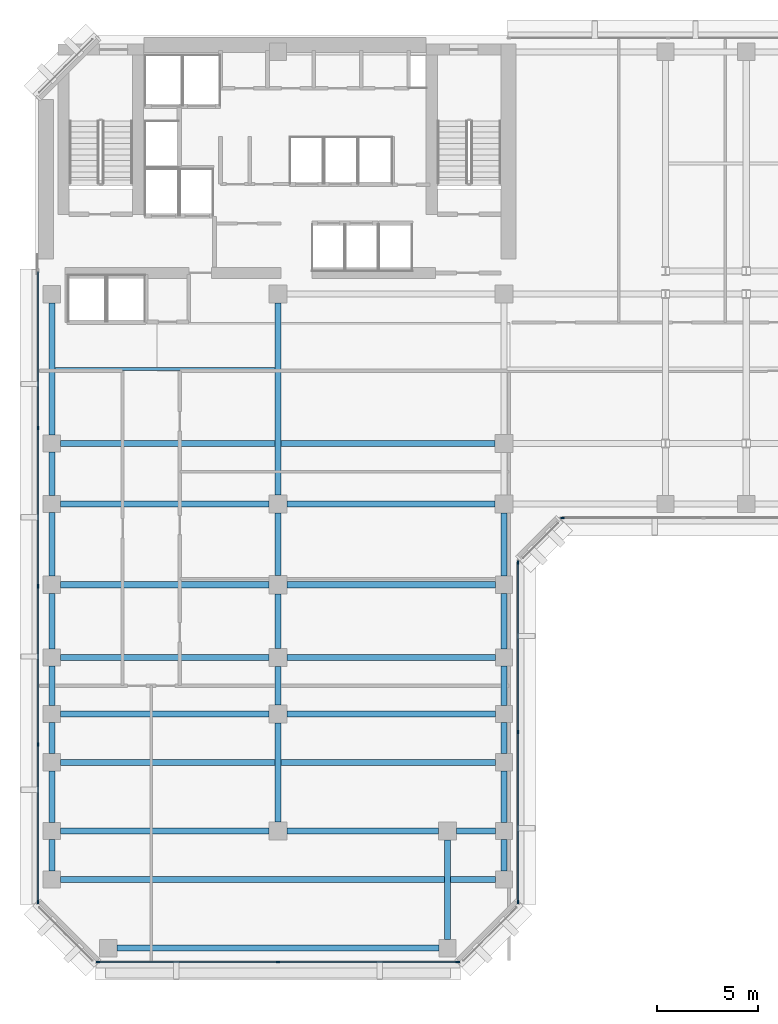
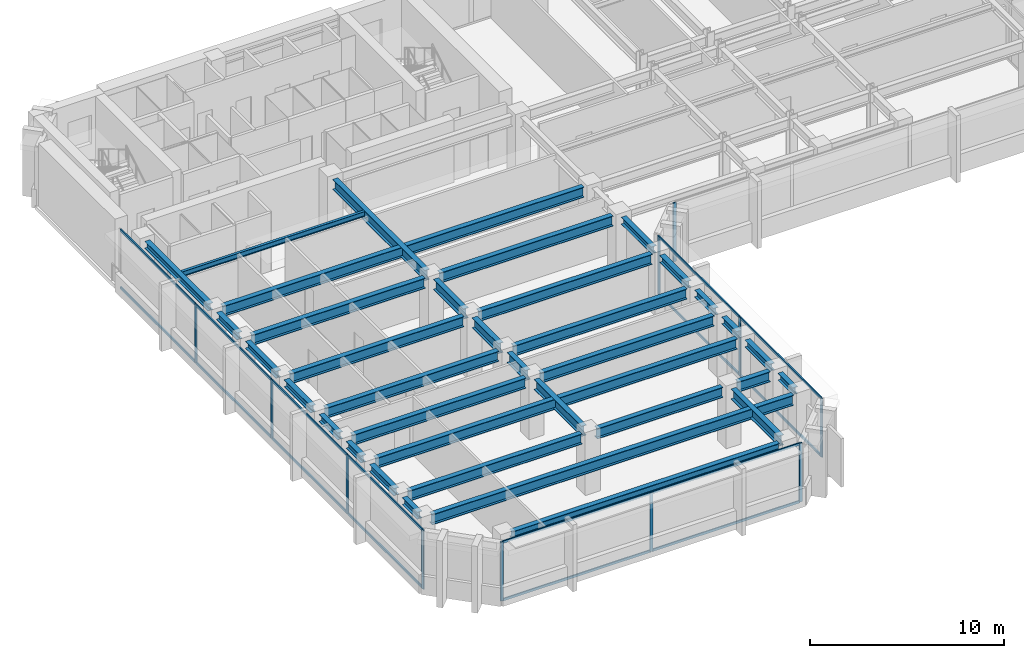
# One storey, part 2 of 11: 36 beams, 27 members, 4 elements without a shape of their own.
"""IFC4 building model written with IfcOpenShell, lengths in metres."""

from ifc_helpers import new_model, si_unit, direction, frame, origin, origin_2d, place, context, subcontext, project, spatial, rectangle, i_section, extrude, material, layer, layer_set, material_profile, profile_set, type_object, element, aggregate, save


model = new_model("IFC4")

# Units and contexts
model_context = context("Model", 3, precision=1e-05, world=origin(), true_north=direction((0.0, 1.0)))
body_context = subcontext(model_context, "Body", "Model", "MODEL_VIEW")
ifc_project = project(units=[si_unit("LENGTHUNIT", "METRE"), si_unit("AREAUNIT", "SQUARE_METRE"), si_unit("VOLUMEUNIT", "CUBIC_METRE"), si_unit("PLANEANGLEUNIT", "RADIAN"), si_unit("MASSUNIT", "GRAM", prefix="KILO")], contexts=[model_context])

# Site, building, storey
site_placement = place(None, origin())
site = spatial("IfcSite", under=ifc_project, at=site_placement, CompositionType="ELEMENT")
building_placement = place(site_placement, origin())
building = spatial("IfcBuilding", under=site, at=building_placement, Name="Kefirva Bronze Tower", CompositionType="ELEMENT")
storey_placement = place(building_placement, frame((0.0, 0.0, 187.43994140625)))
storey = spatial("IfcBuildingStorey", under=building, at=storey_placement, Name="L45", CompositionType="ELEMENT", Elevation=187.43994140625)

# Curtain wall, members
ifc_material_1 = material(Name="Bronze anodised aluminium", Category="aluminium")
ifc_layer = layer(ifc_material_1, 0.199951171875, Name="Bronze anodised aluminium")
ifc_layer_set = layer_set([ifc_layer], Name="Bronze anodised aluminium")
curtain_wall_type = type_object("IfcCurtainWallType", Name="Unitised Bronze Ribbon Curtain Wall Zone 2", PredefinedType="USERDEFINED", material=ifc_layer_set)
curtain_wall_1_placement = place(storey_placement, origin())
curtain_wall_1 = element("IfcCurtainWall", 1, at=curtain_wall_1_placement, inside=storey, type_object=curtain_wall_type, Name="L45 Curtain Wall 1", ObjectType="UNITISED CURTAIN WALL", PredefinedType="USERDEFINED")
ifc_material_profile_1 = material_profile(ifc_material_1, rectangle(XDim=0.074951171875, YDim=0.179931640625, at=origin_2d()), Name="ALU 75x180")
ifc_profile_set_1 = profile_set([ifc_material_profile_1], Name="Bronze anodised aluminium")
member_type_1 = type_object("IfcMemberType", Name="Bronze Mullion 75x180", PredefinedType="MULLION", material=ifc_profile_set_1)
member_1_placement = place(storey_placement, frame((3.092529296875, 0.1201171875, 0.0), z_axis=(0.0, 0.0, 1.0), x_axis=(0.0, 1.0, 0.0)))
member_1 = element("IfcMember", 2, at=member_1_placement, type_object=member_type_1, Name="CW-02 mullion 1", PredefinedType="MULLION", context=body_context, shape_type="SweptSolid", body=[
    extrude(rectangle(XDim=0.074951171875, YDim=0.179931640625, at=origin_2d()), origin(), (0.0, 0.0, 1.0), 3.7099609375),
])
member_2_placement = place(storey_placement, frame((12.0, 0.1201171875, 0.0), z_axis=(0.0, 0.0, 1.0), x_axis=(0.0, 1.0, 0.0)))
member_2 = element("IfcMember", 3, at=member_2_placement, type_object=member_type_1, Name="CW-02 mullion 2", PredefinedType="MULLION", context=body_context, shape_type="SweptSolid", body=[
    extrude(rectangle(XDim=0.074951171875, YDim=0.179931640625, at=origin_2d()), origin(), (0.0, 0.0, 1.0), 3.7099609375),
])
member_3_placement = place(storey_placement, frame((20.907470703125, 0.1201171875, 0.0), z_axis=(0.0, 0.0, 1.0), x_axis=(0.0, 1.0, 0.0)))
member_3 = element("IfcMember", 4, at=member_3_placement, type_object=member_type_1, Name="CW-02 mullion 3", PredefinedType="MULLION", context=body_context, shape_type="SweptSolid", body=[
    extrude(rectangle(XDim=0.074951171875, YDim=0.179931640625, at=origin_2d()), origin(), (0.0, 0.0, 1.0), 3.7099609375),
])

curtain_wall_2_placement = place(storey_placement, origin())
curtain_wall_2 = element("IfcCurtainWall", 5, at=curtain_wall_2_placement, inside=storey, type_object=curtain_wall_type, Name="L45 Curtain Wall 2", ObjectType="UNITISED CURTAIN WALL", PredefinedType="USERDEFINED")
member_4_placement = place(storey_placement, frame((23.8798828125, 3.092529296875, 0.0), z_axis=(0.0, 0.0, 1.0), x_axis=(-1.0, 0.0, 0.0)))
member_4 = element("IfcMember", 6, at=member_4_placement, type_object=member_type_1, Name="CW-02 mullion 1", PredefinedType="MULLION", context=body_context, shape_type="SweptSolid", body=[
    extrude(rectangle(XDim=0.074951171875, YDim=0.179931640625, at=origin_2d()), origin(), (0.0, 0.0, 1.0), 3.7099609375),
])
member_5_placement = place(storey_placement, frame((23.8798828125, 11.5, 0.0), z_axis=(0.0, 0.0, 1.0), x_axis=(-1.0, 0.0, 0.0)))
member_5 = element("IfcMember", 7, at=member_5_placement, type_object=member_type_1, Name="CW-02 mullion 2", PredefinedType="MULLION", context=body_context, shape_type="SweptSolid", body=[
    extrude(rectangle(XDim=0.074951171875, YDim=0.179931640625, at=origin_2d()), origin(), (0.0, 0.0, 1.0), 3.7099609375),
])
member_6_placement = place(storey_placement, frame((23.8798828125, 19.907470703125, 0.0), z_axis=(0.0, 0.0, 1.0), x_axis=(-1.0, 0.0, 0.0)))
member_6 = element("IfcMember", 8, at=member_6_placement, type_object=member_type_1, Name="CW-02 mullion 3", PredefinedType="MULLION", context=body_context, shape_type="SweptSolid", body=[
    extrude(rectangle(XDim=0.074951171875, YDim=0.179931640625, at=origin_2d()), origin(), (0.0, 0.0, 1.0), 3.7099609375),
])

# Curtain wall, member
curtain_wall_3_placement = place(storey_placement, origin())
curtain_wall_3 = element("IfcCurtainWall", 9, at=curtain_wall_3_placement, inside=storey, type_object=curtain_wall_type, Name="L45 Curtain Wall 3", ObjectType="UNITISED CURTAIN WALL", PredefinedType="USERDEFINED")
member_7_placement = place(storey_placement, frame((26.092529296875, 22.1201171875, 0.0), z_axis=(0.0, 0.0, 1.0), x_axis=(0.0, 1.0, 0.0)))
member_7 = element("IfcMember", 10, at=member_7_placement, type_object=member_type_1, Name="CW-02 mullion 1", PredefinedType="MULLION", context=body_context, shape_type="SweptSolid", body=[
    extrude(rectangle(XDim=0.074951171875, YDim=0.179931640625, at=origin_2d()), origin(), (0.0, 0.0, 1.0), 3.7099609375),
])
aggregate(curtain_wall_3, [member_7])

# Curtain wall, members
curtain_wall_4_placement = place(storey_placement, origin())
curtain_wall_4 = element("IfcCurtainWall", 11, at=curtain_wall_4_placement, inside=storey, type_object=curtain_wall_type, Name="L45 Curtain Wall 6", ObjectType="UNITISED CURTAIN WALL", PredefinedType="USERDEFINED")
member_8_placement = place(storey_placement, frame((0.1201171875, 26.56005859375, 0.0), z_axis=(0.0, 0.0, 1.0), x_axis=(1.0, 0.0, 0.0)))
member_8 = element("IfcMember", 12, at=member_8_placement, type_object=member_type_1, Name="CW-02 mullion 2", PredefinedType="MULLION", context=body_context, shape_type="SweptSolid", body=[
    extrude(rectangle(XDim=0.074951171875, YDim=0.179931640625, at=origin_2d()), origin(), (0.0, 0.0, 1.0), 3.7099609375),
])
member_9_placement = place(storey_placement, frame((0.1201171875, 18.72509765625, 0.0), z_axis=(0.0, 0.0, 1.0), x_axis=(1.0, 0.0, 0.0)))
member_9 = element("IfcMember", 13, at=member_9_placement, type_object=member_type_1, Name="CW-02 mullion 3", PredefinedType="MULLION", context=body_context, shape_type="SweptSolid", body=[
    extrude(rectangle(XDim=0.074951171875, YDim=0.179931640625, at=origin_2d()), origin(), (0.0, 0.0, 1.0), 3.7099609375),
])
member_10_placement = place(storey_placement, frame((0.1201171875, 10.889892578125, 0.0), z_axis=(0.0, 0.0, 1.0), x_axis=(1.0, 0.0, 0.0)))
member_10 = element("IfcMember", 14, at=member_10_placement, type_object=member_type_1, Name="CW-02 mullion 4", PredefinedType="MULLION", context=body_context, shape_type="SweptSolid", body=[
    extrude(rectangle(XDim=0.074951171875, YDim=0.179931640625, at=origin_2d()), origin(), (0.0, 0.0, 1.0), 3.7099609375),
])
member_11_placement = place(storey_placement, frame((0.1201171875, 3.092529296875, 0.0), z_axis=(0.0, 0.0, 1.0), x_axis=(1.0, 0.0, 0.0)))
member_11 = element("IfcMember", 15, at=member_11_placement, type_object=member_type_1, Name="CW-02 mullion 5", PredefinedType="MULLION", context=body_context, shape_type="SweptSolid", body=[
    extrude(rectangle(XDim=0.074951171875, YDim=0.179931640625, at=origin_2d()), origin(), (0.0, 0.0, 1.0), 3.7099609375),
])

# Member
ifc_material_profile_2 = material_profile(ifc_material_1, rectangle(XDim=0.074951171875, YDim=0.14990234375, at=origin_2d()), Name="ALU 75x150")
ifc_profile_set_2 = profile_set([ifc_material_profile_2], Name="Bronze anodised aluminium")
member_type_2 = type_object("IfcMemberType", Name="Bronze Transom 75x150", PredefinedType="USERDEFINED", material=ifc_profile_set_2)
member_12_placement = place(storey_placement, frame((3.1298828125, 0.1201171875, 0.03759765625), z_axis=(1.0, 0.0, 0.0), x_axis=(0.0, 1.0, 0.0)))
member_12 = element("IfcMember", 16, at=member_12_placement, type_object=member_type_2, Name="CW-02 transom 1.1", ObjectType="TRANSOM", PredefinedType="USERDEFINED", context=body_context, shape_type="SweptSolid", body=[
    extrude(rectangle(XDim=0.074951171875, YDim=0.14990234375, at=origin_2d()), origin(), (0.0, 0.0, 1.0), 8.83251953125),
])

member_13_placement = place(storey_placement, frame((3.1298828125, 0.1201171875, 3.672607421875), z_axis=(1.0, 0.0, 0.0), x_axis=(0.0, 1.0, 0.0)))
member_13 = element("IfcMember", 17, at=member_13_placement, type_object=member_type_2, Name="CW-02 transom 1.2", ObjectType="TRANSOM", PredefinedType="USERDEFINED", context=body_context, shape_type="SweptSolid", body=[
    extrude(rectangle(XDim=0.074951171875, YDim=0.14990234375, at=origin_2d()), origin(), (0.0, 0.0, 1.0), 8.83251953125),
])

member_14_placement = place(storey_placement, frame((12.03759765625, 0.1201171875, 0.03759765625), z_axis=(1.0, 0.0, 0.0), x_axis=(0.0, 1.0, 0.0)))
member_14 = element("IfcMember", 18, at=member_14_placement, type_object=member_type_2, Name="CW-02 transom 2.1", ObjectType="TRANSOM", PredefinedType="USERDEFINED", context=body_context, shape_type="SweptSolid", body=[
    extrude(rectangle(XDim=0.074951171875, YDim=0.14990234375, at=origin_2d()), origin(), (0.0, 0.0, 1.0), 8.83251953125),
])

member_15_placement = place(storey_placement, frame((12.03759765625, 0.1201171875, 3.672607421875), z_axis=(1.0, 0.0, 0.0), x_axis=(0.0, 1.0, 0.0)))
member_15 = element("IfcMember", 19, at=member_15_placement, type_object=member_type_2, Name="CW-02 transom 2.2", ObjectType="TRANSOM", PredefinedType="USERDEFINED", context=body_context, shape_type="SweptSolid", body=[
    extrude(rectangle(XDim=0.074951171875, YDim=0.14990234375, at=origin_2d()), origin(), (0.0, 0.0, 1.0), 8.83251953125),
])

aggregate(curtain_wall_1, [member_1, member_2, member_3, member_12, member_13, member_14, member_15])

member_16_placement = place(storey_placement, frame((23.8798828125, 3.1298828125, 0.03759765625), z_axis=(0.0, 1.0, 0.0), x_axis=(-1.0, 0.0, 0.0)))
member_16 = element("IfcMember", 20, at=member_16_placement, type_object=member_type_2, Name="CW-02 transom 1.1", ObjectType="TRANSOM", PredefinedType="USERDEFINED", context=body_context, shape_type="SweptSolid", body=[
    extrude(rectangle(XDim=0.074951171875, YDim=0.14990234375, at=origin_2d()), origin(), (0.0, 0.0, 1.0), 8.33251953125),
])

member_17_placement = place(storey_placement, frame((23.8798828125, 3.1298828125, 3.672607421875), z_axis=(0.0, 1.0, 0.0), x_axis=(-1.0, 0.0, 0.0)))
member_17 = element("IfcMember", 21, at=member_17_placement, type_object=member_type_2, Name="CW-02 transom 1.2", ObjectType="TRANSOM", PredefinedType="USERDEFINED", context=body_context, shape_type="SweptSolid", body=[
    extrude(rectangle(XDim=0.074951171875, YDim=0.14990234375, at=origin_2d()), origin(), (0.0, 0.0, 1.0), 8.33251953125),
])

member_18_placement = place(storey_placement, frame((23.8798828125, 11.53759765625, 0.03759765625), z_axis=(0.0, 1.0, 0.0), x_axis=(-1.0, 0.0, 0.0)))
member_18 = element("IfcMember", 22, at=member_18_placement, type_object=member_type_2, Name="CW-02 transom 2.1", ObjectType="TRANSOM", PredefinedType="USERDEFINED", context=body_context, shape_type="SweptSolid", body=[
    extrude(rectangle(XDim=0.074951171875, YDim=0.14990234375, at=origin_2d()), origin(), (0.0, 0.0, 1.0), 8.33251953125),
])

member_19_placement = place(storey_placement, frame((23.8798828125, 11.53759765625, 3.672607421875), z_axis=(0.0, 1.0, 0.0), x_axis=(-1.0, 0.0, 0.0)))
member_19 = element("IfcMember", 23, at=member_19_placement, type_object=member_type_2, Name="CW-02 transom 2.2", ObjectType="TRANSOM", PredefinedType="USERDEFINED", context=body_context, shape_type="SweptSolid", body=[
    extrude(rectangle(XDim=0.074951171875, YDim=0.14990234375, at=origin_2d()), origin(), (0.0, 0.0, 1.0), 8.33251953125),
])

aggregate(curtain_wall_2, [member_4, member_5, member_6, member_16, member_17, member_18, member_19])

member_20_placement = place(storey_placement, frame((0.1201171875, 34.320068359375, 0.03759765625), z_axis=(0.0, -1.0, 0.0), x_axis=(1.0, 0.0, 0.0)))
member_20 = element("IfcMember", 24, at=member_20_placement, type_object=member_type_2, Name="CW-02 transom 1.1", ObjectType="TRANSOM", PredefinedType="USERDEFINED", context=body_context, shape_type="SweptSolid", body=[
    extrude(rectangle(XDim=0.074951171875, YDim=0.14990234375, at=origin_2d()), origin(), (0.0, 0.0, 1.0), 7.72265625),
])

member_21_placement = place(storey_placement, frame((0.1201171875, 34.320068359375, 3.672607421875), z_axis=(0.0, -1.0, 0.0), x_axis=(1.0, 0.0, 0.0)))
member_21 = element("IfcMember", 25, at=member_21_placement, type_object=member_type_2, Name="CW-02 transom 1.2", ObjectType="TRANSOM", PredefinedType="USERDEFINED", context=body_context, shape_type="SweptSolid", body=[
    extrude(rectangle(XDim=0.074951171875, YDim=0.14990234375, at=origin_2d()), origin(), (0.0, 0.0, 1.0), 7.72265625),
])

member_22_placement = place(storey_placement, frame((0.1201171875, 26.5224609375, 0.03759765625), z_axis=(0.0, -1.0, 0.0), x_axis=(1.0, 0.0, 0.0)))
member_22 = element("IfcMember", 26, at=member_22_placement, type_object=member_type_2, Name="CW-02 transom 2.1", ObjectType="TRANSOM", PredefinedType="USERDEFINED", context=body_context, shape_type="SweptSolid", body=[
    extrude(rectangle(XDim=0.074951171875, YDim=0.14990234375, at=origin_2d()), origin(), (0.0, 0.0, 1.0), 7.760009765625),
])

member_23_placement = place(storey_placement, frame((0.1201171875, 26.5224609375, 3.672607421875), z_axis=(0.0, -1.0, 0.0), x_axis=(1.0, 0.0, 0.0)))
member_23 = element("IfcMember", 27, at=member_23_placement, type_object=member_type_2, Name="CW-02 transom 2.2", ObjectType="TRANSOM", PredefinedType="USERDEFINED", context=body_context, shape_type="SweptSolid", body=[
    extrude(rectangle(XDim=0.074951171875, YDim=0.14990234375, at=origin_2d()), origin(), (0.0, 0.0, 1.0), 7.760009765625),
])

member_24_placement = place(storey_placement, frame((0.1201171875, 18.6875, 0.03759765625), z_axis=(0.0, -1.0, 0.0), x_axis=(1.0, 0.0, 0.0)))
member_24 = element("IfcMember", 28, at=member_24_placement, type_object=member_type_2, Name="CW-02 transom 3.1", ObjectType="TRANSOM", PredefinedType="USERDEFINED", context=body_context, shape_type="SweptSolid", body=[
    extrude(rectangle(XDim=0.074951171875, YDim=0.14990234375, at=origin_2d()), origin(), (0.0, 0.0, 1.0), 7.760009765625),
])

member_25_placement = place(storey_placement, frame((0.1201171875, 18.6875, 3.672607421875), z_axis=(0.0, -1.0, 0.0), x_axis=(1.0, 0.0, 0.0)))
member_25 = element("IfcMember", 29, at=member_25_placement, type_object=member_type_2, Name="CW-02 transom 3.2", ObjectType="TRANSOM", PredefinedType="USERDEFINED", context=body_context, shape_type="SweptSolid", body=[
    extrude(rectangle(XDim=0.074951171875, YDim=0.14990234375, at=origin_2d()), origin(), (0.0, 0.0, 1.0), 7.760009765625),
])

member_26_placement = place(storey_placement, frame((0.1201171875, 10.8525390625, 0.03759765625), z_axis=(0.0, -1.0, 0.0), x_axis=(1.0, 0.0, 0.0)))
member_26 = element("IfcMember", 30, at=member_26_placement, type_object=member_type_2, Name="CW-02 transom 4.1", ObjectType="TRANSOM", PredefinedType="USERDEFINED", context=body_context, shape_type="SweptSolid", body=[
    extrude(rectangle(XDim=0.074951171875, YDim=0.14990234375, at=origin_2d()), origin(), (0.0, 0.0, 1.0), 7.72265625),
])

member_27_placement = place(storey_placement, frame((0.1201171875, 10.8525390625, 3.672607421875), z_axis=(0.0, -1.0, 0.0), x_axis=(1.0, 0.0, 0.0)))
member_27 = element("IfcMember", 31, at=member_27_placement, type_object=member_type_2, Name="CW-02 transom 4.2", ObjectType="TRANSOM", PredefinedType="USERDEFINED", context=body_context, shape_type="SweptSolid", body=[
    extrude(rectangle(XDim=0.074951171875, YDim=0.14990234375, at=origin_2d()), origin(), (0.0, 0.0, 1.0), 7.72265625),
])

aggregate(curtain_wall_4, [member_8, member_9, member_10, member_11, member_20, member_21, member_22, member_23, member_24, member_25, member_26, member_27])

# Beams
ifc_material_2 = material(Name="Steel S355", Category="steel")
ifc_material_profile_3 = material_profile(ifc_material_2, i_section(OverallWidth=0.159912109375, OverallDepth=0.330078125, WebThickness=0.007568359375, FlangeThickness=0.011474609375, at=origin_2d()), Name="IPE 330")
ifc_profile_set_3 = profile_set([ifc_material_profile_3], Name="Steel S355")
beam_type_1 = type_object("IfcBeamType", Name="Steel Floor Joist IPE 330", PredefinedType="JOIST", material=ifc_profile_set_3)
beam_1_placement = place(storey_placement, frame((0.949951171875, 29.489990234375, 3.545166015625), z_axis=(1.0, 0.0, 0.0), x_axis=(0.0, 1.0, 0.0)))
element("IfcBeam", 32, at=beam_1_placement, inside=storey, type_object=beam_type_1, Name="L45 JST-L45-0-294", PredefinedType="JOIST", context=body_context, shape_type="SweptSolid", body=[
    extrude(i_section(OverallWidth=0.159912109375, OverallDepth=0.330078125, WebThickness=0.007568359375, FlangeThickness=0.011474609375, at=origin_2d()), origin(), (0.0, 0.0, 1.0), 10.900146484375),
])
ifc_material_profile_4 = material_profile(ifc_material_2, i_section(OverallWidth=0.300048828125, OverallDepth=0.64990234375, WebThickness=0.01611328125, FlangeThickness=0.031005859375, at=origin_2d()), Name="HEB 650")
ifc_profile_set_4 = profile_set([ifc_material_profile_4], Name="Steel S355")
beam_type_2 = type_object("IfcBeamType", Name="Steel Girder HEB 650", PredefinedType="USERDEFINED", material=ifc_profile_set_4)
beam_2_placement = place(storey_placement, frame((1.22998046875, 4.199951171875, 3.35498046875), z_axis=(1.0, 0.0, 0.0), x_axis=(0.0, 1.0, 0.0)))
element("IfcBeam", 33, at=beam_2_placement, inside=storey, type_object=beam_type_2, Name="L45 BM-L45-EW-0-42", ObjectType="GIRDER", PredefinedType="USERDEFINED", context=body_context, shape_type="SweptSolid", body=[
    extrude(i_section(OverallWidth=0.300048828125, OverallDepth=0.64990234375, WebThickness=0.01611328125, FlangeThickness=0.031005859375, at=origin_2d()), origin(), (0.0, 0.0, 1.0), 21.5400390625),
])
beam_3_placement = place(storey_placement, frame((1.22998046875, 6.60009765625, 3.385009765625), z_axis=(1.0, 0.0, 0.0), x_axis=(0.0, 1.0, 0.0)))
element("IfcBeam", 34, at=beam_3_placement, inside=storey, type_object=beam_type_2, Name="L45 BM-L45-EW-0-66", ObjectType="GIRDER", PredefinedType="USERDEFINED", context=body_context, shape_type="SweptSolid", body=[
    extrude(i_section(OverallWidth=0.300048828125, OverallDepth=0.64990234375, WebThickness=0.01611328125, FlangeThickness=0.031005859375, at=origin_2d()), origin(), (0.0, 0.0, 1.0), 10.320068359375),
])
beam_4_placement = place(storey_placement, frame((12.449951171875, 6.60009765625, 3.385009765625), z_axis=(1.0, 0.0, 0.0), x_axis=(0.0, 1.0, 0.0)))
element("IfcBeam", 35, at=beam_4_placement, inside=storey, type_object=beam_type_2, Name="L45 BM-L45-EW-12-66", ObjectType="GIRDER", PredefinedType="USERDEFINED", context=body_context, shape_type="SweptSolid", body=[
    extrude(i_section(OverallWidth=0.300048828125, OverallDepth=0.64990234375, WebThickness=0.01611328125, FlangeThickness=0.031005859375, at=origin_2d()), origin(), (0.0, 0.0, 1.0), 7.5),
])
beam_5_placement = place(storey_placement, frame((20.85009765625, 6.60009765625, 3.385009765625), z_axis=(1.0, 0.0, 0.0), x_axis=(0.0, 1.0, 0.0)))
element("IfcBeam", 36, at=beam_5_placement, inside=storey, type_object=beam_type_2, Name="L45 BM-L45-EW-20-66", ObjectType="GIRDER", PredefinedType="USERDEFINED", context=body_context, shape_type="SweptSolid", body=[
    extrude(i_section(OverallWidth=0.300048828125, OverallDepth=0.64990234375, WebThickness=0.01611328125, FlangeThickness=0.031005859375, at=origin_2d()), origin(), (0.0, 0.0, 1.0), 1.919921875),
])
beam_6_placement = place(storey_placement, frame((1.22998046875, 10.0, 3.385009765625), z_axis=(1.0, 0.0, 0.0), x_axis=(0.0, 1.0, 0.0)))
element("IfcBeam", 37, at=beam_6_placement, inside=storey, type_object=beam_type_2, Name="L45 BM-L45-EW-0-100", ObjectType="GIRDER", PredefinedType="USERDEFINED", context=body_context, shape_type="SweptSolid", body=[
    extrude(i_section(OverallWidth=0.300048828125, OverallDepth=0.64990234375, WebThickness=0.01611328125, FlangeThickness=0.031005859375, at=origin_2d()), origin(), (0.0, 0.0, 1.0), 21.5400390625),
])
for number, where, z_axis, x_axis, name in (
    (38, (1.22998046875, 12.39990234375, 3.385009765625), (1.0, 0.0, 0.0), (0.0, 1.0, 0.0), "L45 BM-L45-EW-0-124"),
    (39, (12.449951171875, 12.39990234375, 3.385009765625), (1.0, 0.0, 0.0), (0.0, 1.0, 0.0), "L45 BM-L45-EW-12-124"),
    (40, (1.22998046875, 15.199951171875, 3.385009765625), (1.0, 0.0, 0.0), (0.0, 1.0, 0.0), "L45 BM-L45-EW-0-152"),
    (41, (12.449951171875, 15.199951171875, 3.385009765625), (1.0, 0.0, 0.0), (0.0, 1.0, 0.0), "L45 BM-L45-EW-12-152"),
    (42, (1.22998046875, 18.800048828125, 3.385009765625), (1.0, 0.0, 0.0), (0.0, 1.0, 0.0), "L45 BM-L45-EW-0-188"),
    (43, (12.449951171875, 18.800048828125, 3.385009765625), (1.0, 0.0, 0.0), (0.0, 1.0, 0.0), "L45 BM-L45-EW-12-188"),
    (44, (1.22998046875, 22.800048828125, 3.385009765625), (1.0, 0.0, 0.0), (0.0, 1.0, 0.0), "L45 BM-L45-EW-0-228"),
):
    element("IfcBeam", number, at=place(storey_placement, frame(where, z_axis=z_axis, x_axis=x_axis)), inside=storey, type_object=beam_type_2, Name=name, ObjectType="GIRDER", PredefinedType="USERDEFINED", context=body_context, shape_type="SweptSolid", body=[
        extrude(i_section(OverallWidth=0.300048828125, OverallDepth=0.64990234375, WebThickness=0.01611328125, FlangeThickness=0.031005859375, at=origin_2d()), origin(), (0.0, 0.0, 1.0), 10.320068359375),
    ])
beam_7_placement = place(storey_placement, frame((12.449951171875, 22.800048828125, 3.385009765625), z_axis=(1.0, 0.0, 0.0), x_axis=(0.0, 1.0, 0.0)))
element("IfcBeam", 45, at=beam_7_placement, inside=storey, type_object=beam_type_2, Name="L45 BM-L45-EW-12-228", ObjectType="GIRDER", PredefinedType="USERDEFINED", context=body_context, shape_type="SweptSolid", body=[
    extrude(i_section(OverallWidth=0.300048828125, OverallDepth=0.64990234375, WebThickness=0.01611328125, FlangeThickness=0.031005859375, at=origin_2d()), origin(), (0.0, 0.0, 1.0), 10.300048828125),
])
beam_8_placement = place(storey_placement, frame((1.22998046875, 25.800048828125, 3.385009765625), z_axis=(1.0, 0.0, 0.0), x_axis=(0.0, 1.0, 0.0)))
element("IfcBeam", 46, at=beam_8_placement, inside=storey, type_object=beam_type_2, Name="L45 BM-L45-EW-0-258", ObjectType="GIRDER", PredefinedType="USERDEFINED", context=body_context, shape_type="SweptSolid", body=[
    extrude(i_section(OverallWidth=0.300048828125, OverallDepth=0.64990234375, WebThickness=0.01611328125, FlangeThickness=0.031005859375, at=origin_2d()), origin(), (0.0, 0.0, 1.0), 21.52001953125),
])
beam_9_placement = place(storey_placement, frame((12.0, 7.050048828125, 3.385009765625), z_axis=(0.0, 1.0, 0.0), x_axis=(-1.0, 0.0, 0.0)))
element("IfcBeam", 47, at=beam_9_placement, inside=storey, type_object=beam_type_2, Name="L45 BM-L45-NS-120-6", ObjectType="GIRDER", PredefinedType="USERDEFINED", context=body_context, shape_type="SweptSolid", body=[
    extrude(i_section(OverallWidth=0.300048828125, OverallDepth=0.64990234375, WebThickness=0.01611328125, FlangeThickness=0.031005859375, at=origin_2d()), origin(), (0.0, 0.0, 1.0), 4.89990234375),
])
beam_10_placement = place(storey_placement, frame((12.0, 12.85009765625, 3.385009765625), z_axis=(0.0, 1.0, 0.0), x_axis=(-1.0, 0.0, 0.0)))
element("IfcBeam", 48, at=beam_10_placement, inside=storey, type_object=beam_type_2, Name="L45 BM-L45-NS-120-12", ObjectType="GIRDER", PredefinedType="USERDEFINED", context=body_context, shape_type="SweptSolid", body=[
    extrude(i_section(OverallWidth=0.300048828125, OverallDepth=0.64990234375, WebThickness=0.01611328125, FlangeThickness=0.031005859375, at=origin_2d()), origin(), (0.0, 0.0, 1.0), 1.89990234375),
])
beam_11_placement = place(storey_placement, frame((12.0, 15.64990234375, 3.385009765625), z_axis=(0.0, 1.0, 0.0), x_axis=(-1.0, 0.0, 0.0)))
element("IfcBeam", 49, at=beam_11_placement, inside=storey, type_object=beam_type_2, Name="L45 BM-L45-NS-120-15", ObjectType="GIRDER", PredefinedType="USERDEFINED", context=body_context, shape_type="SweptSolid", body=[
    extrude(i_section(OverallWidth=0.300048828125, OverallDepth=0.64990234375, WebThickness=0.01611328125, FlangeThickness=0.031005859375, at=origin_2d()), origin(), (0.0, 0.0, 1.0), 2.7001953125),
])
beam_12_placement = place(storey_placement, frame((12.0, 19.25, 3.385009765625), z_axis=(0.0, 1.0, 0.0), x_axis=(-1.0, 0.0, 0.0)))
element("IfcBeam", 50, at=beam_12_placement, inside=storey, type_object=beam_type_2, Name="L45 BM-L45-NS-120-18", ObjectType="GIRDER", PredefinedType="USERDEFINED", context=body_context, shape_type="SweptSolid", body=[
    extrude(i_section(OverallWidth=0.300048828125, OverallDepth=0.64990234375, WebThickness=0.01611328125, FlangeThickness=0.031005859375, at=origin_2d()), origin(), (0.0, 0.0, 1.0), 3.10009765625),
])
beam_13_placement = place(storey_placement, frame((12.0, 23.25, 3.385009765625), z_axis=(0.0, 1.0, 0.0), x_axis=(-1.0, 0.0, 0.0)))
element("IfcBeam", 51, at=beam_13_placement, inside=storey, type_object=beam_type_2, Name="L45 BM-L45-NS-120-22", ObjectType="GIRDER", PredefinedType="USERDEFINED", context=body_context, shape_type="SweptSolid", body=[
    extrude(i_section(OverallWidth=0.300048828125, OverallDepth=0.64990234375, WebThickness=0.01611328125, FlangeThickness=0.031005859375, at=origin_2d()), origin(), (0.0, 0.0, 1.0), 9.5),
])
beam_14_placement = place(storey_placement, frame((20.39990234375, 1.22998046875, 3.35498046875), z_axis=(0.0, 1.0, 0.0), x_axis=(-1.0, 0.0, 0.0)))
element("IfcBeam", 52, at=beam_14_placement, inside=storey, type_object=beam_type_2, Name="L45 BM-L45-NS-204-0", ObjectType="GIRDER", PredefinedType="USERDEFINED", context=body_context, shape_type="SweptSolid", body=[
    extrude(i_section(OverallWidth=0.300048828125, OverallDepth=0.64990234375, WebThickness=0.01611328125, FlangeThickness=0.031005859375, at=origin_2d()), origin(), (0.0, 0.0, 1.0), 4.919921875),
])
ifc_material_profile_5 = material_profile(ifc_material_2, i_section(OverallWidth=0.300048828125, OverallDepth=0.449951171875, WebThickness=0.013916015625, FlangeThickness=0.02587890625, at=origin_2d()), Name="HEB 450")
ifc_profile_set_5 = profile_set([ifc_material_profile_5], Name="Steel S355")
beam_type_3 = type_object("IfcBeamType", Name="Steel Spandrel HEB 450 Ext", PredefinedType="SPANDREL", material=ifc_profile_set_5)
beam_15_placement = place(storey_placement, frame((4.030029296875, 0.800048828125, 3.455078125), z_axis=(1.0, 0.0, 0.0), x_axis=(0.0, 1.0, 0.0)))
element("IfcBeam", 53, at=beam_15_placement, inside=storey, type_object=beam_type_3, Name="L45 BM-L45-EW-3-8", PredefinedType="SPANDREL", context=body_context, shape_type="SweptSolid", body=[
    extrude(i_section(OverallWidth=0.300048828125, OverallDepth=0.449951171875, WebThickness=0.013916015625, FlangeThickness=0.02587890625, at=origin_2d()), origin(), (0.0, 0.0, 1.0), 15.93994140625),
])
beam_16_placement = place(storey_placement, frame((0.800048828125, 4.6298828125, 3.455078125), z_axis=(0.0, 1.0, 0.0), x_axis=(-1.0, 0.0, 0.0)))
element("IfcBeam", 54, at=beam_16_placement, inside=storey, type_object=beam_type_3, Name="L45 BM-L45-NS-8-4", PredefinedType="SPANDREL", context=body_context, shape_type="SweptSolid", body=[
    extrude(i_section(OverallWidth=0.300048828125, OverallDepth=0.449951171875, WebThickness=0.013916015625, FlangeThickness=0.02587890625, at=origin_2d()), origin(), (0.0, 0.0, 1.0), 1.5400390625),
])
beam_17_placement = place(storey_placement, frame((0.800048828125, 7.030029296875, 3.485107421875), z_axis=(0.0, 1.0, 0.0), x_axis=(-1.0, 0.0, 0.0)))
element("IfcBeam", 55, at=beam_17_placement, inside=storey, type_object=beam_type_3, Name="L45 BM-L45-NS-8-6", PredefinedType="SPANDREL", context=body_context, shape_type="SweptSolid", body=[
    extrude(i_section(OverallWidth=0.300048828125, OverallDepth=0.449951171875, WebThickness=0.013916015625, FlangeThickness=0.02587890625, at=origin_2d()), origin(), (0.0, 0.0, 1.0), 2.5400390625),
])
beam_18_placement = place(storey_placement, frame((0.800048828125, 10.429931640625, 3.485107421875), z_axis=(0.0, 1.0, 0.0), x_axis=(-1.0, 0.0, 0.0)))
element("IfcBeam", 56, at=beam_18_placement, inside=storey, type_object=beam_type_3, Name="L45 BM-L45-NS-8-10", PredefinedType="SPANDREL", context=body_context, shape_type="SweptSolid", body=[
    extrude(i_section(OverallWidth=0.300048828125, OverallDepth=0.449951171875, WebThickness=0.013916015625, FlangeThickness=0.02587890625, at=origin_2d()), origin(), (0.0, 0.0, 1.0), 1.5400390625),
])
beam_19_placement = place(storey_placement, frame((0.800048828125, 12.830078125, 3.485107421875), z_axis=(0.0, 1.0, 0.0), x_axis=(-1.0, 0.0, 0.0)))
element("IfcBeam", 57, at=beam_19_placement, inside=storey, type_object=beam_type_3, Name="L45 BM-L45-NS-8-12", PredefinedType="SPANDREL", context=body_context, shape_type="SweptSolid", body=[
    extrude(i_section(OverallWidth=0.300048828125, OverallDepth=0.449951171875, WebThickness=0.013916015625, FlangeThickness=0.02587890625, at=origin_2d()), origin(), (0.0, 0.0, 1.0), 1.93994140625),
])
beam_20_placement = place(storey_placement, frame((0.800048828125, 15.6298828125, 3.485107421875), z_axis=(0.0, 1.0, 0.0), x_axis=(-1.0, 0.0, 0.0)))
element("IfcBeam", 58, at=beam_20_placement, inside=storey, type_object=beam_type_3, Name="L45 BM-L45-NS-8-15", PredefinedType="SPANDREL", context=body_context, shape_type="SweptSolid", body=[
    extrude(i_section(OverallWidth=0.300048828125, OverallDepth=0.449951171875, WebThickness=0.013916015625, FlangeThickness=0.02587890625, at=origin_2d()), origin(), (0.0, 0.0, 1.0), 2.740234375),
])
beam_21_placement = place(storey_placement, frame((0.800048828125, 19.22998046875, 3.485107421875), z_axis=(0.0, 1.0, 0.0), x_axis=(-1.0, 0.0, 0.0)))
element("IfcBeam", 59, at=beam_21_placement, inside=storey, type_object=beam_type_3, Name="L45 BM-L45-NS-8-18", PredefinedType="SPANDREL", context=body_context, shape_type="SweptSolid", body=[
    extrude(i_section(OverallWidth=0.300048828125, OverallDepth=0.449951171875, WebThickness=0.013916015625, FlangeThickness=0.02587890625, at=origin_2d()), origin(), (0.0, 0.0, 1.0), 3.14013671875),
])
beam_22_placement = place(storey_placement, frame((0.800048828125, 23.22998046875, 3.485107421875), z_axis=(0.0, 1.0, 0.0), x_axis=(-1.0, 0.0, 0.0)))
element("IfcBeam", 60, at=beam_22_placement, inside=storey, type_object=beam_type_3, Name="L45 BM-L45-NS-8-22", PredefinedType="SPANDREL", context=body_context, shape_type="SweptSolid", body=[
    extrude(i_section(OverallWidth=0.300048828125, OverallDepth=0.449951171875, WebThickness=0.013916015625, FlangeThickness=0.02587890625, at=origin_2d()), origin(), (0.0, 0.0, 1.0), 2.14013671875),
])
beam_23_placement = place(storey_placement, frame((0.800048828125, 26.22998046875, 3.485107421875), z_axis=(0.0, 1.0, 0.0), x_axis=(-1.0, 0.0, 0.0)))
element("IfcBeam", 61, at=beam_23_placement, inside=storey, type_object=beam_type_3, Name="L45 BM-L45-NS-8-25", PredefinedType="SPANDREL", context=body_context, shape_type="SweptSolid", body=[
    extrude(i_section(OverallWidth=0.300048828125, OverallDepth=0.449951171875, WebThickness=0.013916015625, FlangeThickness=0.02587890625, at=origin_2d()), origin(), (0.0, 0.0, 1.0), 6.5400390625),
])
beam_24_placement = place(storey_placement, frame((23.199951171875, 4.6298828125, 3.455078125), z_axis=(0.0, 1.0, 0.0), x_axis=(-1.0, 0.0, 0.0)))
element("IfcBeam", 62, at=beam_24_placement, inside=storey, type_object=beam_type_3, Name="L45 BM-L45-NS-232-4", PredefinedType="SPANDREL", context=body_context, shape_type="SweptSolid", body=[
    extrude(i_section(OverallWidth=0.300048828125, OverallDepth=0.449951171875, WebThickness=0.013916015625, FlangeThickness=0.02587890625, at=origin_2d()), origin(), (0.0, 0.0, 1.0), 1.5400390625),
])
beam_25_placement = place(storey_placement, frame((23.199951171875, 7.030029296875, 3.485107421875), z_axis=(0.0, 1.0, 0.0), x_axis=(-1.0, 0.0, 0.0)))
element("IfcBeam", 63, at=beam_25_placement, inside=storey, type_object=beam_type_3, Name="L45 BM-L45-NS-232-6", PredefinedType="SPANDREL", context=body_context, shape_type="SweptSolid", body=[
    extrude(i_section(OverallWidth=0.300048828125, OverallDepth=0.449951171875, WebThickness=0.013916015625, FlangeThickness=0.02587890625, at=origin_2d()), origin(), (0.0, 0.0, 1.0), 2.5400390625),
])
beam_26_placement = place(storey_placement, frame((23.199951171875, 10.429931640625, 3.485107421875), z_axis=(0.0, 1.0, 0.0), x_axis=(-1.0, 0.0, 0.0)))
element("IfcBeam", 64, at=beam_26_placement, inside=storey, type_object=beam_type_3, Name="L45 BM-L45-NS-232-10", PredefinedType="SPANDREL", context=body_context, shape_type="SweptSolid", body=[
    extrude(i_section(OverallWidth=0.300048828125, OverallDepth=0.449951171875, WebThickness=0.013916015625, FlangeThickness=0.02587890625, at=origin_2d()), origin(), (0.0, 0.0, 1.0), 1.5400390625),
])
beam_27_placement = place(storey_placement, frame((23.199951171875, 12.830078125, 3.485107421875), z_axis=(0.0, 1.0, 0.0), x_axis=(-1.0, 0.0, 0.0)))
element("IfcBeam", 65, at=beam_27_placement, inside=storey, type_object=beam_type_3, Name="L45 BM-L45-NS-232-12", PredefinedType="SPANDREL", context=body_context, shape_type="SweptSolid", body=[
    extrude(i_section(OverallWidth=0.300048828125, OverallDepth=0.449951171875, WebThickness=0.013916015625, FlangeThickness=0.02587890625, at=origin_2d()), origin(), (0.0, 0.0, 1.0), 1.93994140625),
])
beam_28_placement = place(storey_placement, frame((23.199951171875, 15.6298828125, 3.485107421875), z_axis=(0.0, 1.0, 0.0), x_axis=(-1.0, 0.0, 0.0)))
element("IfcBeam", 66, at=beam_28_placement, inside=storey, type_object=beam_type_3, Name="L45 BM-L45-NS-232-15", PredefinedType="SPANDREL", context=body_context, shape_type="SweptSolid", body=[
    extrude(i_section(OverallWidth=0.300048828125, OverallDepth=0.449951171875, WebThickness=0.013916015625, FlangeThickness=0.02587890625, at=origin_2d()), origin(), (0.0, 0.0, 1.0), 2.740234375),
])
beam_29_placement = place(storey_placement, frame((23.199951171875, 19.22998046875, 3.485107421875), z_axis=(0.0, 1.0, 0.0), x_axis=(-1.0, 0.0, 0.0)))
element("IfcBeam", 67, at=beam_29_placement, inside=storey, type_object=beam_type_3, Name="L45 BM-L45-NS-232-18", PredefinedType="SPANDREL", context=body_context, shape_type="SweptSolid", body=[
    extrude(i_section(OverallWidth=0.300048828125, OverallDepth=0.449951171875, WebThickness=0.013916015625, FlangeThickness=0.02587890625, at=origin_2d()), origin(), (0.0, 0.0, 1.0), 3.1201171875),
])

save(model, "model.ifc")
